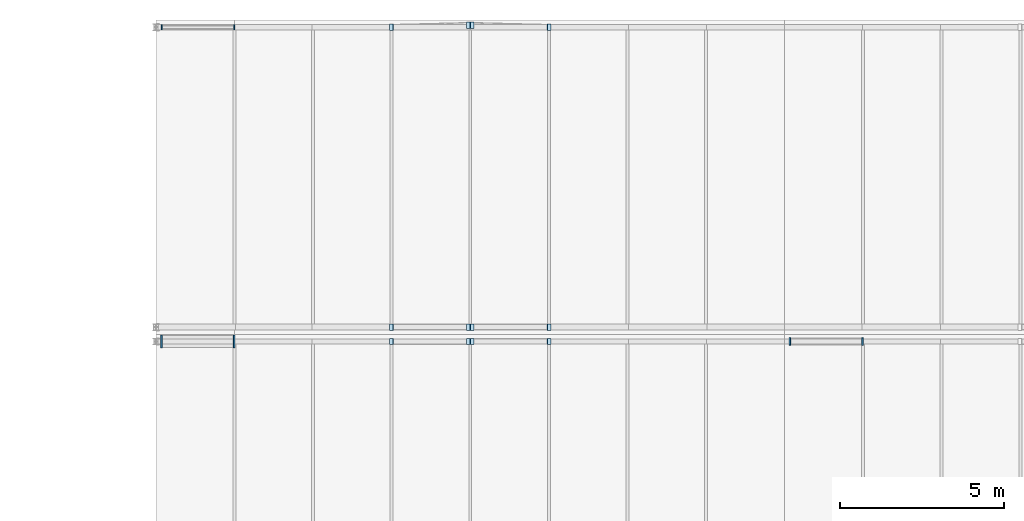
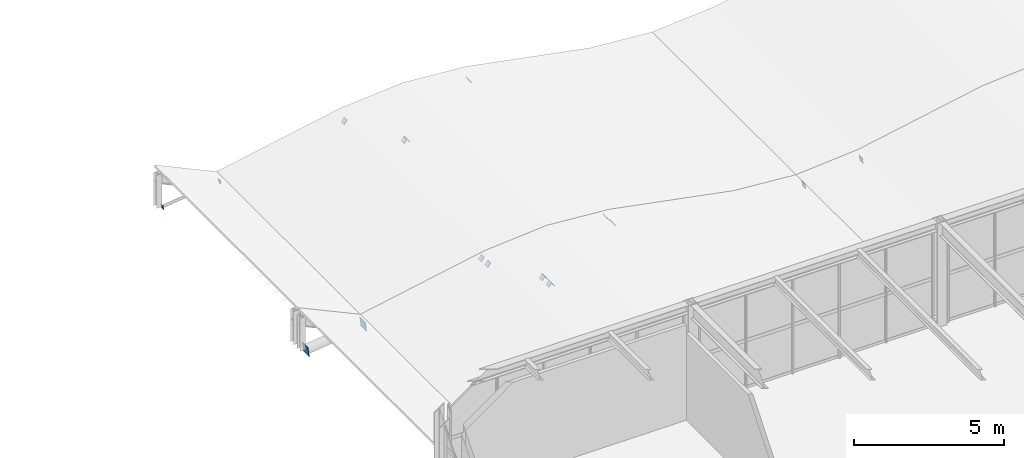
# One storey, part 144 of 170: 18 plates.
"""IFC4 building model written with IfcOpenShell, lengths in metres."""

from ifc_helpers import new_model, si_unit, direction, frame, origin, origin_2d, place, context, subcontext, project, spatial, rectangle, extrude, material, layer, layer_set, type_object, element, save


model = new_model("IFC4")

# Units and contexts
model_context = context("Model", 3, precision=1e-05, world=origin(), true_north=direction((0.0, 1.0)))
body_context = subcontext(model_context, "Body", "Model", "MODEL_VIEW")
ifc_project = project(units=[si_unit("LENGTHUNIT", "METRE"), si_unit("AREAUNIT", "SQUARE_METRE"), si_unit("VOLUMEUNIT", "CUBIC_METRE"), si_unit("PLANEANGLEUNIT", "RADIAN"), si_unit("MASSUNIT", "GRAM", prefix="KILO")], contexts=[model_context])

# Site, building, storey
site_placement = place(None, origin())
site = spatial("IfcSite", under=ifc_project, at=site_placement, CompositionType="ELEMENT")
building_placement = place(site_placement, origin())
building = spatial("IfcBuilding", under=site, at=building_placement, Name="Coralgate Yard Interchange", CompositionType="ELEMENT")
storey_placement = place(building_placement, frame((0.0, 0.0, 6.0)))
storey = spatial("IfcBuildingStorey", under=building, at=storey_placement, Name="L01", CompositionType="ELEMENT", Elevation=6.0)

# Plates
ifc_material = material(Name="Structural steel S355J2", Category="steel")
ifc_layer = layer(ifc_material, 0.01806640625)
ifc_layer_set = layer_set([ifc_layer], Name="Structural steel S355J2")
plate_type = type_object("IfcPlateType", Name="PLT-EP-18", PredefinedType="USERDEFINED", material=ifc_layer_set)
for number, where, z_axis, x_axis, name in (
    (1, (47.9384765625, 105.3798828125, -0.678955078125), (0.821435746077, 0.0, -0.570301074054), (0.0, 1.0, 0.0), "Steel hollow section end cap plate CAP-WVBR-R1-W1-N-L-0"),
    (2, (45.6015625, 105.3798828125, 0.943359375), (-0.821435746077, 0.0, 0.570301074054), (0.0, -1.0, 0.0), "Steel hollow section end cap plate CAP-WVBR-R1-W1-N-L-1"),
    (3, (48.0615234375, 105.3798828125, -0.678955078125), (-0.821435746077, 0.0, -0.570301074054), (0.0, -1.0, 0.0), "Steel hollow section end cap plate CAP-WVBR-R1-W1-N-R-0"),
    (4, (50.3984375, 105.3798828125, 0.943359375), (0.821435746077, 0.0, 0.570301074054), (0.0, 1.0, 0.0), "Steel hollow section end cap plate CAP-WVBR-R1-W1-N-R-1"),
    (5, (47.938232421875, 105.820068359375, -0.6787109375), (0.827189409026, 0.0, -0.561923199018), (0.0, 1.0, 0.0), "Steel hollow section end cap plate CAP-WVBR-R2-W1-S-L-0"),
    (6, (45.601806640625, 105.820068359375, 0.908447265625), (-0.827189409026, 0.0, 0.561923199018), (0.0, -1.0, 0.0), "Steel hollow section end cap plate CAP-WVBR-R2-W1-S-L-1"),
    (7, (48.061767578125, 105.820068359375, -0.6787109375), (-0.827189409026, 0.0, -0.561923199018), (0.0, -1.0, 0.0), "Steel hollow section end cap plate CAP-WVBR-R2-W1-S-R-0"),
    (8, (50.398193359375, 105.820068359375, 0.908447265625), (0.827189409026, 0.0, 0.561923199018), (0.0, 1.0, 0.0), "Steel hollow section end cap plate CAP-WVBR-R2-W1-S-R-1"),
    (9, (47.9384765625, 115.0400390625, -0.678955078125), (0.821435746077, 0.0, -0.570301074054), (0.0, 1.0, 0.0), "Steel hollow section end cap plate CAP-WVBR-R2-W1-N-L-0"),
    (10, (45.6015625, 114.97998046875, 0.943359375), (-0.821435746077, 0.0, 0.570301074054), (0.0, -1.0, 0.0), "Steel hollow section end cap plate CAP-WVBR-R2-W1-N-L-1"),
    (11, (48.0615234375, 115.0400390625, -0.678955078125), (-0.821435746077, 0.0, -0.570301074054), (0.0, -1.0, 0.0), "Steel hollow section end cap plate CAP-WVBR-R2-W1-N-R-0"),
    (12, (50.3984375, 114.97998046875, 0.943359375), (0.821435746077, 0.0, 0.570301074054), (0.0, 1.0, 0.0), "Steel hollow section end cap plate CAP-WVBR-R2-W1-N-R-1"),
):
    element("IfcPlate", number, at=place(storey_placement, frame(where, z_axis=z_axis, x_axis=x_axis)), inside=storey, type_object=plate_type, Name=name, ObjectType="CAP PLATE", PredefinedType="USERDEFINED", context=body_context, shape_type="SweptSolid", body=[
        extrude(rectangle(XDim=0.197998046875, YDim=0.197998046875, at=origin_2d()), origin(), (0.0, 0.0, 1.0), 0.01806640625),
    ])
for number, where, z_axis, x_axis, name in (
    (13, (38.58203125, 105.3798828125, -0.079833984375), (-0.993088841046, 0.0, -0.117365045005), (0.0, -1.0, 0.0), "Steel hollow section end cap plate CAP-WSUB-01-0"),
    (14, (40.77783203125, 105.3798828125, 0.179931640625), (0.993088841046, 0.0, 0.117365045005), (0.0, 1.0, 0.0), "Steel hollow section end cap plate CAP-WSUB-01-1"),
):
    element("IfcPlate", number, at=place(storey_placement, frame(where, z_axis=z_axis, x_axis=x_axis)), inside=storey, type_object=plate_type, Name=name, ObjectType="CAP PLATE", PredefinedType="USERDEFINED", context=body_context, shape_type="SweptSolid", body=[
        extrude(rectangle(XDim=0.385986328125, YDim=0.385986328125, at=origin_2d()), origin(), (0.0, 0.0, 1.0), 0.01806640625),
    ])
for number, where, z_axis, x_axis, name in (
    (15, (57.781982421875, 105.3798828125, -0.079833984375), (-0.993088841046, 0.0, -0.117365045005), (0.0, -1.0, 0.0), "Steel hollow section end cap plate CAP-WSUB-02-0"),
    (16, (59.97802734375, 105.3798828125, 0.179931640625), (0.993088841046, 0.0, 0.117365045005), (0.0, 1.0, 0.0), "Steel hollow section end cap plate CAP-WSUB-02-1"),
):
    element("IfcPlate", number, at=place(storey_placement, frame(where, z_axis=z_axis, x_axis=x_axis)), inside=storey, type_object=plate_type, Name=name, ObjectType="CAP PLATE", PredefinedType="USERDEFINED", context=body_context, shape_type="SweptSolid", body=[
        extrude(rectangle(XDim=0.22998046875, YDim=0.22998046875, at=origin_2d()), origin(), (0.0, 0.0, 1.0), 0.01806640625),
    ])
for number, where, z_axis, x_axis, name in (
    (17, (38.58203125, 114.97998046875, -0.079833984375), (-0.993088841046, 0.0, -0.117365045005), (0.0, -1.0, 0.0), "Steel hollow section end cap plate CAP-WSUB-08-0"),
    (18, (40.77783203125, 114.97998046875, 0.179931640625), (0.993088841046, 0.0, 0.117365045005), (0.0, 1.0, 0.0), "Steel hollow section end cap plate CAP-WSUB-08-1"),
):
    element("IfcPlate", number, at=place(storey_placement, frame(where, z_axis=z_axis, x_axis=x_axis)), inside=storey, type_object=plate_type, Name=name, ObjectType="CAP PLATE", PredefinedType="USERDEFINED", context=body_context, shape_type="SweptSolid", body=[
        extrude(rectangle(XDim=0.14404296875, YDim=0.14404296875, at=origin_2d()), origin(), (0.0, 0.0, 1.0), 0.01806640625),
    ])

save(model, "model.ifc")
